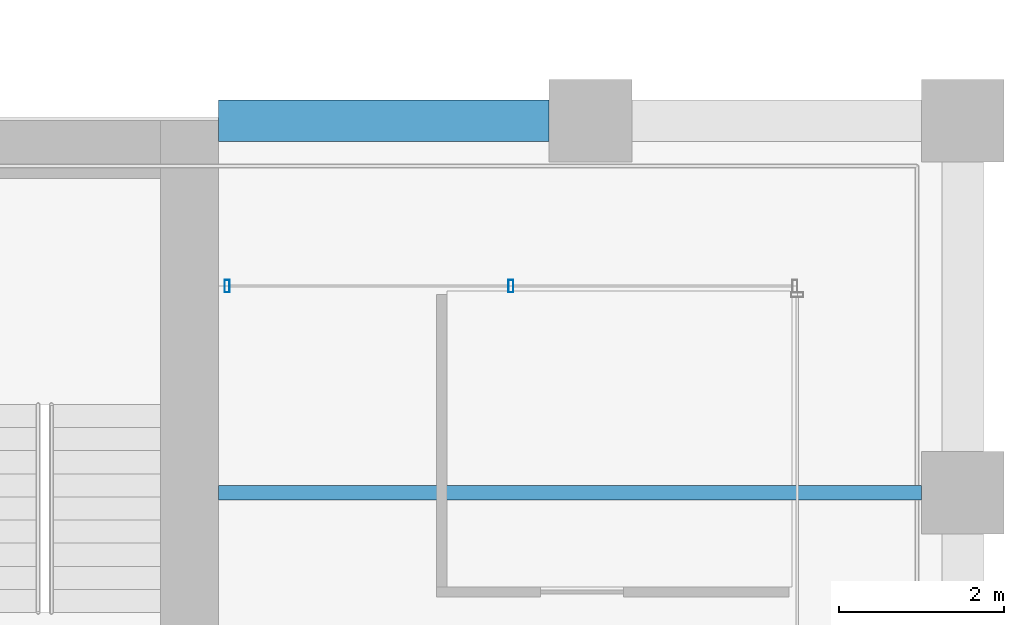
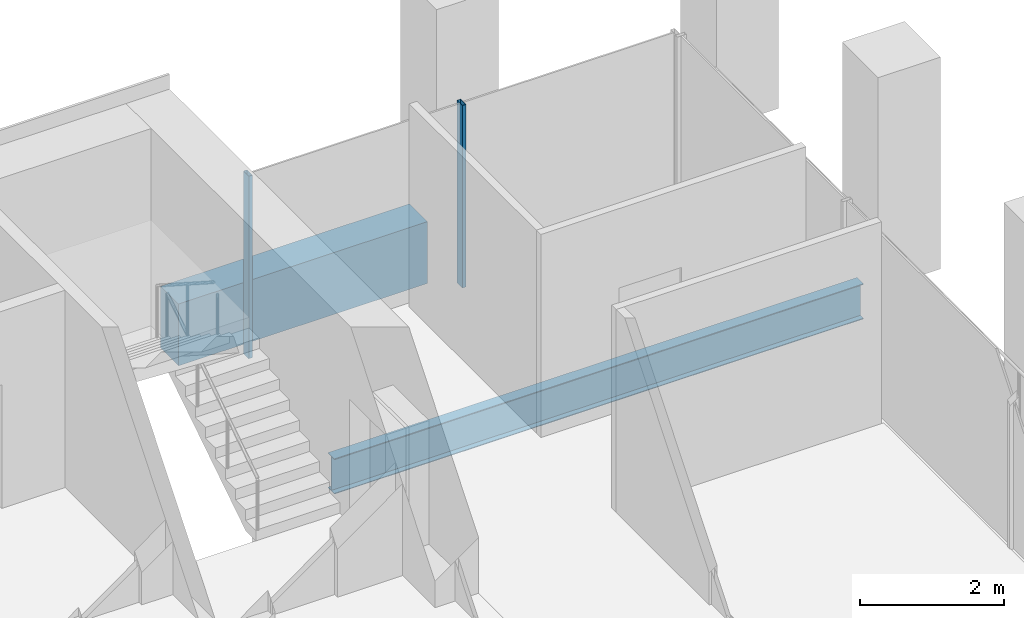
# One storey, part 36 of 47: 2 beams, 2 members, 1 element without a shape of its own.
"""IFC4 building model written with IfcOpenShell, lengths in metres."""

from ifc_helpers import new_model, si_unit, direction, frame, origin, origin_2d, place, context, subcontext, project, spatial, rectangle, hollow_rectangle, i_section, extrude, material, material_profile, profile_set, type_object, element, aggregate, save


model = new_model("IFC4")

# Units and contexts
model_context = context("Model", 3, precision=1e-05, world=origin(), true_north=direction((0.0, 1.0)))
body_context = subcontext(model_context, "Body", "Model", "MODEL_VIEW")
ifc_project = project(units=[si_unit("LENGTHUNIT", "METRE"), si_unit("AREAUNIT", "SQUARE_METRE"), si_unit("VOLUMEUNIT", "CUBIC_METRE"), si_unit("PLANEANGLEUNIT", "RADIAN"), si_unit("MASSUNIT", "GRAM", prefix="KILO")], contexts=[model_context])

# Site, building, storey
site_placement = place(None, origin())
site = spatial("IfcSite", under=ifc_project, at=site_placement, CompositionType="ELEMENT")
building_placement = place(site_placement, origin())
building = spatial("IfcBuilding", under=site, at=building_placement, Name="Altepetl Exchange Towers", CompositionType="ELEMENT")
storey_placement = place(building_placement, frame((0.0, 0.0, 95.60009765625)))
storey = spatial("IfcBuildingStorey", under=building, at=storey_placement, Name="L23", CompositionType="ELEMENT", Elevation=95.60009765625)

# Beam
ifc_material_1 = material(Name="Steel S355", Category="steel")
ifc_material_profile_1 = material_profile(ifc_material_1, i_section(OverallWidth=0.177978515625, OverallDepth=0.59912109375, WebThickness=0.010009765625, FlangeThickness=0.0126953125, at=origin_2d()), Name="W24X55")
ifc_profile_set_1 = profile_set([ifc_material_profile_1], Name="Steel S355")
beam_type_1 = type_object("IfcBeamType", Name="Floor beam W24X55", PredefinedType="BEAM", material=ifc_profile_set_1)
beam_1_placement = place(storey_placement, frame((117.0, 45.0, -0.44970703125), z_axis=(1.0, 0.0, 0.0), x_axis=(0.0, 1.0, 0.0)))
element("IfcBeam", 1, at=beam_1_placement, inside=storey, type_object=beam_type_1, Name="bm:B:L23:003", PredefinedType="BEAM", context=body_context, shape_type="SweptSolid", body=[
    extrude(i_section(OverallWidth=0.177978515625, OverallDepth=0.59912109375, WebThickness=0.010009765625, FlangeThickness=0.0126953125, at=origin_2d()), origin(), (0.0, 0.0, 1.0), 8.5),
])

# Curtain wall, members
ifc_material_2 = material(Name="Aluminium 6063-T6 glazing", Category="aluminium")
curtain_wall_type = type_object("IfcCurtainWallType", Name="Loggia glazing system", PredefinedType="NOTDEFINED", material=ifc_material_2)
curtain_wall_placement = place(storey_placement, origin())
curtain_wall = element("IfcCurtainWall", 2, at=curtain_wall_placement, inside=storey, type_object=curtain_wall_type, Name="CW1 run", PredefinedType="NOTDEFINED")
ifc_material_3 = material(Name="Aluminium 6063-T6", Category="aluminium")
ifc_material_profile_2 = material_profile(ifc_material_3, hollow_rectangle(XDim=0.06005859375, YDim=0.14990234375, WallThickness=0.0029296875, at=origin_2d()), Name="Mullion 60x150 aluminium")
ifc_profile_set_2 = profile_set([ifc_material_profile_2], Name="Aluminium 6063-T6")
member_type = type_object("IfcMemberType", Name="Mullion 60x150 aluminium", PredefinedType="MULLION", material=ifc_profile_set_2)
member_1_placement = place(storey_placement, frame((120.53759765625, 47.5, 0.0), z_axis=(0.0, 0.0, 1.0), x_axis=(-1.0, 0.0, 0.0)))
member_1 = element("IfcMember", 3, at=member_1_placement, type_object=member_type, Name="MU1 mullion", PredefinedType="MULLION", context=body_context, shape_type="SweptSolid", body=[
    extrude(hollow_rectangle(XDim=0.06005859375, YDim=0.14990234375, WallThickness=0.0029296875, at=origin_2d()), origin(), (0.0, 0.0, 1.0), 3.099853515625),
])
member_2_placement = place(storey_placement, frame((117.10498046875, 47.5, 0.0), z_axis=(0.0, 0.0, 1.0), x_axis=(-1.0, 0.0, 0.0)))
member_2 = element("IfcMember", 4, at=member_2_placement, type_object=member_type, Name="MU1 mullion", PredefinedType="MULLION", context=body_context, shape_type="SweptSolid", body=[
    extrude(hollow_rectangle(XDim=0.06005859375, YDim=0.14990234375, WallThickness=0.0029296875, at=origin_2d()), origin(), (0.0, 0.0, 1.0), 3.099853515625),
])
aggregate(curtain_wall, [member_1, member_2])

# Beam
ifc_material_4 = material(Name="Concrete C50/60 precast with cantera amarilla facing", Category="concrete")
ifc_material_profile_3 = material_profile(ifc_material_4, rectangle(XDim=0.5, YDim=1.050048828125, at=origin_2d()), Name="500 x 1050")
ifc_profile_set_3 = profile_set([ifc_material_profile_3], Name="Concrete C50/60 precast with cantera amarilla facing")
beam_type_2 = type_object("IfcBeamType", Name="Spandrel beam 500x1050 cantera amarilla", PredefinedType="SPANDREL", material=ifc_profile_set_3)
beam_2_placement = place(storey_placement, frame((121.0, 49.5, -0.675048828125), z_axis=(-1.0, 0.0, 0.0), x_axis=(0.0, -1.0, 0.0)))
element("IfcBeam", 5, at=beam_2_placement, inside=storey, type_object=beam_type_2, Name="sp:B:L23:014", PredefinedType="SPANDREL", context=body_context, shape_type="SweptSolid", body=[
    extrude(rectangle(XDim=0.5, YDim=1.050048828125, at=origin_2d()), origin(), (0.0, 0.0, 1.0), 4.0),
])

save(model, "model.ifc")
